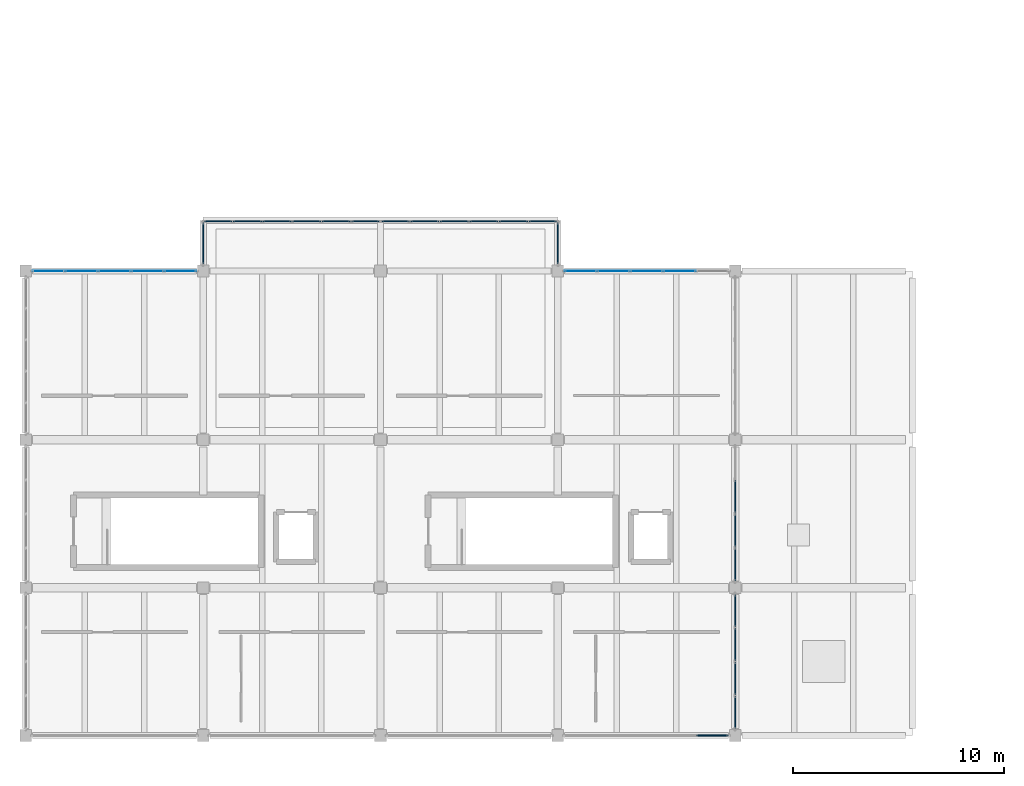
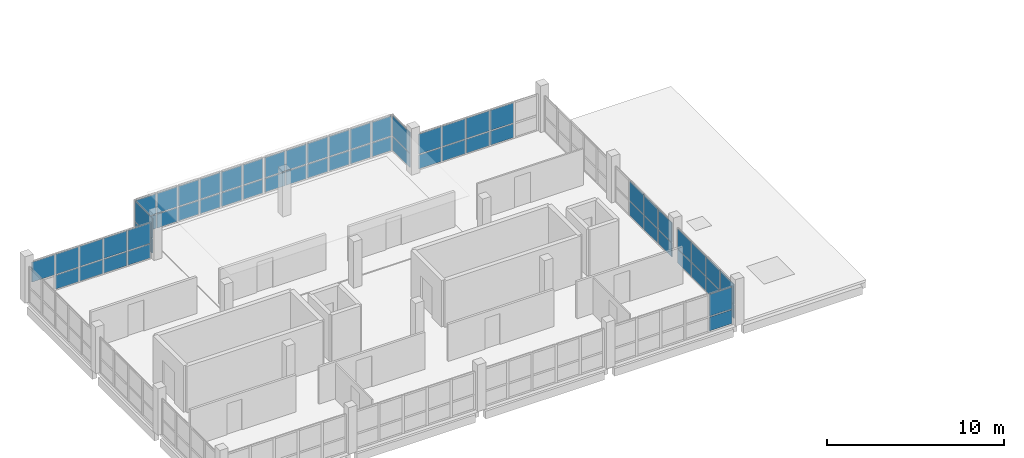
# One storey, part 20 of 24: 61 plates, 9 elements without a shape of their own.
"""IFC4 building model written with IfcOpenShell, lengths in metres."""

from ifc_helpers import new_model, si_unit, direction, frame, origin, origin_2d, place, context, subcontext, project, spatial, rectangle, extrude, material, layer, layer_set, type_object, element, aggregate, save


model = new_model("IFC4")

# Units and contexts
model_context = context("Model", 3, precision=1e-05, world=origin(), true_north=direction((0.0, 1.0)))
body_context = subcontext(model_context, "Body", "Model", "MODEL_VIEW")
ifc_project = project(units=[si_unit("LENGTHUNIT", "METRE"), si_unit("AREAUNIT", "SQUARE_METRE"), si_unit("VOLUMEUNIT", "CUBIC_METRE"), si_unit("PLANEANGLEUNIT", "RADIAN"), si_unit("MASSUNIT", "GRAM", prefix="KILO"), si_unit("THERMODYNAMICTEMPERATUREUNIT", "KELVIN"), si_unit("POWERUNIT", "WATT")], contexts=[model_context])

# Site, building, storey
site_placement = place(None, origin())
site = spatial("IfcSite", under=ifc_project, at=site_placement, CompositionType="ELEMENT")
building_placement = place(site_placement, origin())
building = spatial("IfcBuilding", under=site, at=building_placement, Name="Mavoryth Pier Ferry Terminal", CompositionType="ELEMENT")
storey_placement = place(building_placement, frame((0.0, 0.0, 16.320068359375)))
storey = spatial("IfcBuildingStorey", under=building, at=storey_placement, Name="L04", CompositionType="ELEMENT", Elevation=16.320068359375)

# Curtain wall, plates
ifc_material_1 = material(Name="Anodised Aluminium and Solar-Control Low-E Glass", Category="aluminium")
ifc_layer_1 = layer(ifc_material_1, 0.260009765625, Name="Anodised Aluminium and Solar-Control Low-E Glass", Category="aluminium")
ifc_layer_set_1 = layer_set([ifc_layer_1], Name="Anodised Aluminium and Solar-Control Low-E Glass - CW-VTSBridge-Mod1500")
curtain_wall_type = type_object("IfcCurtainWallType", Name="CW-VTSBridge-Mod1500", PredefinedType="USERDEFINED", material=ifc_layer_set_1)
curtain_wall_1_placement = place(storey_placement, origin())
curtain_wall_1 = element("IfcCurtainWall", 1, at=curtain_wall_1_placement, inside=storey, type_object=curtain_wall_type, Name="Curtain Wall CW-0422-150", ObjectType="UNITISED CURTAIN WALL", PredefinedType="USERDEFINED")
ifc_material_2 = material(Name="Solar-Control Low-E Laminated Double Glazing", Category="glass")
ifc_layer_2 = layer(ifc_material_2, 0.02392578125, Name="Solar-Control Low-E Laminated Double Glazing", Category="glass")
ifc_layer_set_2 = layer_set([ifc_layer_2], Name="Solar-Control Low-E Laminated Double Glazing - Panel-LowE-DGU-24")
plate_type_1 = type_object("IfcPlateType", Name="Panel-LowE-DGU-24", PredefinedType="CURTAIN_PANEL", material=ifc_layer_set_2)
plate_1_placement = place(storey_placement, frame((49.324951171875, 22.0, 0.06005859375), z_axis=(0.0, 0.0, 1.0), x_axis=(-1.0, 0.0, 0.0)))
plate_1 = element("IfcPlate", 2, at=plate_1_placement, type_object=plate_type_1, Name="CW07 panel 1.1", PredefinedType="CURTAIN_PANEL", context=body_context, shape_type="SweptSolid", body=[
    extrude(rectangle(XDim=1.47998046875, YDim=0.02392578125, at=origin_2d()), origin(), (0.0, 0.0, 1.0), 0.9599609375),
])
plate_2_placement = place(storey_placement, frame((49.324951171875, 22.0, 1.080078125), z_axis=(0.0, 0.0, 1.0), x_axis=(-1.0, 0.0, 0.0)))
plate_2 = element("IfcPlate", 3, at=plate_2_placement, type_object=plate_type_1, Name="CW07 panel 1.2", PredefinedType="CURTAIN_PANEL", context=body_context, shape_type="SweptSolid", body=[
    extrude(rectangle(XDim=1.47998046875, YDim=0.02392578125, at=origin_2d()), origin(), (0.0, 0.0, 1.0), 1.385009765625),
])
plate_3_placement = place(storey_placement, frame((47.77001953125, 22.0, 0.06005859375), z_axis=(0.0, 0.0, 1.0), x_axis=(-1.0, 0.0, 0.0)))
plate_3 = element("IfcPlate", 4, at=plate_3_placement, type_object=plate_type_1, Name="CW07 panel 2.1", PredefinedType="CURTAIN_PANEL", context=body_context, shape_type="SweptSolid", body=[
    extrude(rectangle(XDim=1.510009765625, YDim=0.02392578125, at=origin_2d()), origin(), (0.0, 0.0, 1.0), 0.9599609375),
])
plate_4_placement = place(storey_placement, frame((47.77001953125, 22.0, 1.080078125), z_axis=(0.0, 0.0, 1.0), x_axis=(-1.0, 0.0, 0.0)))
plate_4 = element("IfcPlate", 5, at=plate_4_placement, type_object=plate_type_1, Name="CW07 panel 2.2", PredefinedType="CURTAIN_PANEL", context=body_context, shape_type="SweptSolid", body=[
    extrude(rectangle(XDim=1.510009765625, YDim=0.02392578125, at=origin_2d()), origin(), (0.0, 0.0, 1.0), 1.385009765625),
])
plate_5_placement = place(storey_placement, frame((46.199951171875, 22.0, 0.06005859375), z_axis=(0.0, 0.0, 1.0), x_axis=(-1.0, 0.0, 0.0)))
plate_5 = element("IfcPlate", 6, at=plate_5_placement, type_object=plate_type_1, Name="CW07 panel 3.1", PredefinedType="CURTAIN_PANEL", context=body_context, shape_type="SweptSolid", body=[
    extrude(rectangle(XDim=1.510009765625, YDim=0.02392578125, at=origin_2d()), origin(), (0.0, 0.0, 1.0), 0.9599609375),
])
plate_6_placement = place(storey_placement, frame((46.199951171875, 22.0, 1.080078125), z_axis=(0.0, 0.0, 1.0), x_axis=(-1.0, 0.0, 0.0)))
plate_6 = element("IfcPlate", 7, at=plate_6_placement, type_object=plate_type_1, Name="CW07 panel 3.2", PredefinedType="CURTAIN_PANEL", context=body_context, shape_type="SweptSolid", body=[
    extrude(rectangle(XDim=1.510009765625, YDim=0.02392578125, at=origin_2d()), origin(), (0.0, 0.0, 1.0), 1.385009765625),
])
plate_7_placement = place(storey_placement, frame((44.6298828125, 22.0, 0.06005859375), z_axis=(0.0, 0.0, 1.0), x_axis=(-1.0, 0.0, 0.0)))
plate_7 = element("IfcPlate", 8, at=plate_7_placement, type_object=plate_type_1, Name="CW07 panel 4.1", PredefinedType="CURTAIN_PANEL", context=body_context, shape_type="SweptSolid", body=[
    extrude(rectangle(XDim=1.510009765625, YDim=0.02392578125, at=origin_2d()), origin(), (0.0, 0.0, 1.0), 0.9599609375),
])
plate_8_placement = place(storey_placement, frame((44.6298828125, 22.0, 1.080078125), z_axis=(0.0, 0.0, 1.0), x_axis=(-1.0, 0.0, 0.0)))
plate_8 = element("IfcPlate", 9, at=plate_8_placement, type_object=plate_type_1, Name="CW07 panel 4.2", PredefinedType="CURTAIN_PANEL", context=body_context, shape_type="SweptSolid", body=[
    extrude(rectangle(XDim=1.510009765625, YDim=0.02392578125, at=origin_2d()), origin(), (0.0, 0.0, 1.0), 1.385009765625),
])
plate_9_placement = place(storey_placement, frame((43.074951171875, 22.0, 1.080078125), z_axis=(0.0, 0.0, 1.0), x_axis=(-1.0, 0.0, 0.0)))
plate_9 = element("IfcPlate", 10, at=plate_9_placement, type_object=plate_type_1, Name="CW07 panel 5.2", PredefinedType="CURTAIN_PANEL", context=body_context, shape_type="SweptSolid", body=[
    extrude(rectangle(XDim=1.47998046875, YDim=0.02392578125, at=origin_2d()), origin(), (0.0, 0.0, 1.0), 1.385009765625),
])
aggregate(curtain_wall_1, [plate_1, plate_2, plate_3, plate_4, plate_5, plate_6, plate_7, plate_8, plate_9])

curtain_wall_2_placement = place(storey_placement, origin())
curtain_wall_2 = element("IfcCurtainWall", 11, at=curtain_wall_2_placement, inside=storey, type_object=curtain_wall_type, Name="Curtain Wall CW-0422-156", ObjectType="UNITISED CURTAIN WALL", PredefinedType="USERDEFINED")
plate_10_placement = place(storey_placement, frame((72.969970703125, 22.0, 0.06005859375), z_axis=(0.0, 0.0, 1.0), x_axis=(-1.0, 0.0, 0.0)))
plate_10 = element("IfcPlate", 12, at=plate_10_placement, type_object=plate_type_1, Name="CW07 panel 2.1", PredefinedType="CURTAIN_PANEL", context=body_context, shape_type="SweptSolid", body=[
    extrude(rectangle(XDim=1.510009765625, YDim=0.02392578125, at=origin_2d()), origin(), (0.0, 0.0, 1.0), 0.9599609375),
])
plate_11_placement = place(storey_placement, frame((72.969970703125, 22.0, 1.080078125), z_axis=(0.0, 0.0, 1.0), x_axis=(-1.0, 0.0, 0.0)))
plate_11 = element("IfcPlate", 13, at=plate_11_placement, type_object=plate_type_1, Name="CW07 panel 2.2", PredefinedType="CURTAIN_PANEL", context=body_context, shape_type="SweptSolid", body=[
    extrude(rectangle(XDim=1.510009765625, YDim=0.02392578125, at=origin_2d()), origin(), (0.0, 0.0, 1.0), 1.385009765625),
])
plate_12_placement = place(storey_placement, frame((71.39990234375, 22.0, 0.06005859375), z_axis=(0.0, 0.0, 1.0), x_axis=(-1.0, 0.0, 0.0)))
plate_12 = element("IfcPlate", 14, at=plate_12_placement, type_object=plate_type_1, Name="CW07 panel 3.1", PredefinedType="CURTAIN_PANEL", context=body_context, shape_type="SweptSolid", body=[
    extrude(rectangle(XDim=1.510009765625, YDim=0.02392578125, at=origin_2d()), origin(), (0.0, 0.0, 1.0), 0.9599609375),
])
plate_13_placement = place(storey_placement, frame((71.39990234375, 22.0, 1.080078125), z_axis=(0.0, 0.0, 1.0), x_axis=(-1.0, 0.0, 0.0)))
plate_13 = element("IfcPlate", 15, at=plate_13_placement, type_object=plate_type_1, Name="CW07 panel 3.2", PredefinedType="CURTAIN_PANEL", context=body_context, shape_type="SweptSolid", body=[
    extrude(rectangle(XDim=1.510009765625, YDim=0.02392578125, at=origin_2d()), origin(), (0.0, 0.0, 1.0), 1.385009765625),
])
plate_14_placement = place(storey_placement, frame((69.830078125, 22.0, 0.06005859375), z_axis=(0.0, 0.0, 1.0), x_axis=(-1.0, 0.0, 0.0)))
plate_14 = element("IfcPlate", 16, at=plate_14_placement, type_object=plate_type_1, Name="CW07 panel 4.1", PredefinedType="CURTAIN_PANEL", context=body_context, shape_type="SweptSolid", body=[
    extrude(rectangle(XDim=1.510009765625, YDim=0.02392578125, at=origin_2d()), origin(), (0.0, 0.0, 1.0), 0.9599609375),
])
plate_15_placement = place(storey_placement, frame((69.830078125, 22.0, 1.080078125), z_axis=(0.0, 0.0, 1.0), x_axis=(-1.0, 0.0, 0.0)))
plate_15 = element("IfcPlate", 17, at=plate_15_placement, type_object=plate_type_1, Name="CW07 panel 4.2", PredefinedType="CURTAIN_PANEL", context=body_context, shape_type="SweptSolid", body=[
    extrude(rectangle(XDim=1.510009765625, YDim=0.02392578125, at=origin_2d()), origin(), (0.0, 0.0, 1.0), 1.385009765625),
])
plate_16_placement = place(storey_placement, frame((68.27490234375, 22.0, 0.06005859375), z_axis=(0.0, 0.0, 1.0), x_axis=(-1.0, 0.0, 0.0)))
plate_16 = element("IfcPlate", 18, at=plate_16_placement, type_object=plate_type_1, Name="CW07 panel 5.1", PredefinedType="CURTAIN_PANEL", context=body_context, shape_type="SweptSolid", body=[
    extrude(rectangle(XDim=1.47998046875, YDim=0.02392578125, at=origin_2d()), origin(), (0.0, 0.0, 1.0), 0.9599609375),
])
plate_17_placement = place(storey_placement, frame((68.27490234375, 22.0, 1.080078125), z_axis=(0.0, 0.0, 1.0), x_axis=(-1.0, 0.0, 0.0)))
plate_17 = element("IfcPlate", 19, at=plate_17_placement, type_object=plate_type_1, Name="CW07 panel 5.2", PredefinedType="CURTAIN_PANEL", context=body_context, shape_type="SweptSolid", body=[
    extrude(rectangle(XDim=1.47998046875, YDim=0.02392578125, at=origin_2d()), origin(), (0.0, 0.0, 1.0), 1.385009765625),
])
aggregate(curtain_wall_2, [plate_10, plate_11, plate_12, plate_13, plate_14, plate_15, plate_16, plate_17])

curtain_wall_3_placement = place(storey_placement, origin())
curtain_wall_3 = element("IfcCurtainWall", 20, at=curtain_wall_3_placement, inside=storey, type_object=curtain_wall_type, Name="Curtain Wall CW-0444-152", ObjectType="UNITISED CURTAIN WALL", PredefinedType="USERDEFINED")
ifc_material_3 = material(Name="Marine Anti-Reflection Laminated Bridge Glass", Category="glass")
ifc_layer_3 = layer(ifc_material_3, 0.053955078125, Name="Marine Anti-Reflection Laminated Bridge Glass", Category="glass")
ifc_layer_set_3 = layer_set([ifc_layer_3], Name="Marine Anti-Reflection Laminated Bridge Glass - Panel-VTS-AntiGlare-54")
plate_type_2 = type_object("IfcPlateType", Name="Panel-VTS-AntiGlare-54", PredefinedType="CURTAIN_PANEL", material=ifc_layer_set_3)
plate_18_placement = place(storey_placement, frame((58.08251953125, 24.35009765625, 0.06982421875), z_axis=(0.0, 0.0, 1.0), x_axis=(-1.0, 0.0, 0.0)))
plate_18 = element("IfcPlate", 21, at=plate_18_placement, type_object=plate_type_2, Name="CW07 panel 1.1", PredefinedType="CURTAIN_PANEL", context=body_context, shape_type="SweptSolid", body=[
    extrude(rectangle(XDim=1.294921875, YDim=0.053955078125, at=origin_2d()), origin(), (0.0, 0.0, 1.0), 0.945068359375),
])
plate_19_placement = place(storey_placement, frame((58.08251953125, 24.35009765625, 1.0849609375), z_axis=(0.0, 0.0, 1.0), x_axis=(-1.0, 0.0, 0.0)))
plate_19 = element("IfcPlate", 22, at=plate_19_placement, type_object=plate_type_2, Name="CW07 panel 1.2", PredefinedType="CURTAIN_PANEL", context=body_context, shape_type="SweptSolid", body=[
    extrude(rectangle(XDim=1.294921875, YDim=0.053955078125, at=origin_2d()), origin(), (0.0, 0.0, 1.0), 1.3701171875),
])
plate_20_placement = place(storey_placement, frame((56.699951171875, 24.35009765625, 0.06982421875), z_axis=(0.0, 0.0, 1.0), x_axis=(-1.0, 0.0, 0.0)))
plate_20 = element("IfcPlate", 23, at=plate_20_placement, type_object=plate_type_2, Name="CW07 panel 2.1", PredefinedType="CURTAIN_PANEL", context=body_context, shape_type="SweptSolid", body=[
    extrude(rectangle(XDim=1.330078125, YDim=0.053955078125, at=origin_2d()), origin(), (0.0, 0.0, 1.0), 0.945068359375),
])
plate_21_placement = place(storey_placement, frame((56.699951171875, 24.35009765625, 1.0849609375), z_axis=(0.0, 0.0, 1.0), x_axis=(-1.0, 0.0, 0.0)))
plate_21 = element("IfcPlate", 24, at=plate_21_placement, type_object=plate_type_2, Name="CW07 panel 2.2", PredefinedType="CURTAIN_PANEL", context=body_context, shape_type="SweptSolid", body=[
    extrude(rectangle(XDim=1.330078125, YDim=0.053955078125, at=origin_2d()), origin(), (0.0, 0.0, 1.0), 1.3701171875),
])
plate_22_placement = place(storey_placement, frame((55.300048828125, 24.35009765625, 0.06982421875), z_axis=(0.0, 0.0, 1.0), x_axis=(-1.0, 0.0, 0.0)))
plate_22 = element("IfcPlate", 25, at=plate_22_placement, type_object=plate_type_2, Name="CW07 panel 3.1", PredefinedType="CURTAIN_PANEL", context=body_context, shape_type="SweptSolid", body=[
    extrude(rectangle(XDim=1.330078125, YDim=0.053955078125, at=origin_2d()), origin(), (0.0, 0.0, 1.0), 0.945068359375),
])
plate_23_placement = place(storey_placement, frame((55.300048828125, 24.35009765625, 1.0849609375), z_axis=(0.0, 0.0, 1.0), x_axis=(-1.0, 0.0, 0.0)))
plate_23 = element("IfcPlate", 26, at=plate_23_placement, type_object=plate_type_2, Name="CW07 panel 3.2", PredefinedType="CURTAIN_PANEL", context=body_context, shape_type="SweptSolid", body=[
    extrude(rectangle(XDim=1.330078125, YDim=0.053955078125, at=origin_2d()), origin(), (0.0, 0.0, 1.0), 1.3701171875),
])
plate_24_placement = place(storey_placement, frame((53.89990234375, 24.35009765625, 0.06982421875), z_axis=(0.0, 0.0, 1.0), x_axis=(-1.0, 0.0, 0.0)))
plate_24 = element("IfcPlate", 27, at=plate_24_placement, type_object=plate_type_2, Name="CW07 panel 4.1", PredefinedType="CURTAIN_PANEL", context=body_context, shape_type="SweptSolid", body=[
    extrude(rectangle(XDim=1.330078125, YDim=0.053955078125, at=origin_2d()), origin(), (0.0, 0.0, 1.0), 0.945068359375),
])
plate_25_placement = place(storey_placement, frame((53.89990234375, 24.35009765625, 1.0849609375), z_axis=(0.0, 0.0, 1.0), x_axis=(-1.0, 0.0, 0.0)))
plate_25 = element("IfcPlate", 28, at=plate_25_placement, type_object=plate_type_2, Name="CW07 panel 4.2", PredefinedType="CURTAIN_PANEL", context=body_context, shape_type="SweptSolid", body=[
    extrude(rectangle(XDim=1.330078125, YDim=0.053955078125, at=origin_2d()), origin(), (0.0, 0.0, 1.0), 1.3701171875),
])
plate_26_placement = place(storey_placement, frame((52.5, 24.35009765625, 0.06982421875), z_axis=(0.0, 0.0, 1.0), x_axis=(-1.0, 0.0, 0.0)))
plate_26 = element("IfcPlate", 29, at=plate_26_placement, type_object=plate_type_2, Name="CW07 panel 5.1", PredefinedType="CURTAIN_PANEL", context=body_context, shape_type="SweptSolid", body=[
    extrude(rectangle(XDim=1.330078125, YDim=0.053955078125, at=origin_2d()), origin(), (0.0, 0.0, 1.0), 0.945068359375),
])
plate_27_placement = place(storey_placement, frame((52.5, 24.35009765625, 1.0849609375), z_axis=(0.0, 0.0, 1.0), x_axis=(-1.0, 0.0, 0.0)))
plate_27 = element("IfcPlate", 30, at=plate_27_placement, type_object=plate_type_2, Name="CW07 panel 5.2", PredefinedType="CURTAIN_PANEL", context=body_context, shape_type="SweptSolid", body=[
    extrude(rectangle(XDim=1.330078125, YDim=0.053955078125, at=origin_2d()), origin(), (0.0, 0.0, 1.0), 1.3701171875),
])
plate_28_placement = place(storey_placement, frame((51.117431640625, 24.35009765625, 0.06982421875), z_axis=(0.0, 0.0, 1.0), x_axis=(-1.0, 0.0, 0.0)))
plate_28 = element("IfcPlate", 31, at=plate_28_placement, type_object=plate_type_2, Name="CW07 panel 6.1", PredefinedType="CURTAIN_PANEL", context=body_context, shape_type="SweptSolid", body=[
    extrude(rectangle(XDim=1.294921875, YDim=0.053955078125, at=origin_2d()), origin(), (0.0, 0.0, 1.0), 0.945068359375),
])
plate_29_placement = place(storey_placement, frame((51.117431640625, 24.35009765625, 1.0849609375), z_axis=(0.0, 0.0, 1.0), x_axis=(-1.0, 0.0, 0.0)))
plate_29 = element("IfcPlate", 32, at=plate_29_placement, type_object=plate_type_2, Name="CW07 panel 6.2", PredefinedType="CURTAIN_PANEL", context=body_context, shape_type="SweptSolid", body=[
    extrude(rectangle(XDim=1.294921875, YDim=0.053955078125, at=origin_2d()), origin(), (0.0, 0.0, 1.0), 1.3701171875),
])
aggregate(curtain_wall_3, [plate_18, plate_19, plate_20, plate_21, plate_22, plate_23, plate_24, plate_25, plate_26, plate_27, plate_28, plate_29])

curtain_wall_4_placement = place(storey_placement, origin())
curtain_wall_4 = element("IfcCurtainWall", 33, at=curtain_wall_4_placement, inside=storey, type_object=curtain_wall_type, Name="Curtain Wall CW-0444-154", ObjectType="UNITISED CURTAIN WALL", PredefinedType="USERDEFINED")
plate_30_placement = place(storey_placement, frame((66.482421875, 24.35009765625, 0.06982421875), z_axis=(0.0, 0.0, 1.0), x_axis=(-1.0, 0.0, 0.0)))
plate_30 = element("IfcPlate", 34, at=plate_30_placement, type_object=plate_type_2, Name="CW07 panel 1.1", PredefinedType="CURTAIN_PANEL", context=body_context, shape_type="SweptSolid", body=[
    extrude(rectangle(XDim=1.294921875, YDim=0.053955078125, at=origin_2d()), origin(), (0.0, 0.0, 1.0), 0.945068359375),
])
plate_31_placement = place(storey_placement, frame((66.482421875, 24.35009765625, 1.0849609375), z_axis=(0.0, 0.0, 1.0), x_axis=(-1.0, 0.0, 0.0)))
plate_31 = element("IfcPlate", 35, at=plate_31_placement, type_object=plate_type_2, Name="CW07 panel 1.2", PredefinedType="CURTAIN_PANEL", context=body_context, shape_type="SweptSolid", body=[
    extrude(rectangle(XDim=1.294921875, YDim=0.053955078125, at=origin_2d()), origin(), (0.0, 0.0, 1.0), 1.3701171875),
])
plate_32_placement = place(storey_placement, frame((65.10009765625, 24.35009765625, 0.06982421875), z_axis=(0.0, 0.0, 1.0), x_axis=(-1.0, 0.0, 0.0)))
plate_32 = element("IfcPlate", 36, at=plate_32_placement, type_object=plate_type_2, Name="CW07 panel 2.1", PredefinedType="CURTAIN_PANEL", context=body_context, shape_type="SweptSolid", body=[
    extrude(rectangle(XDim=1.330078125, YDim=0.053955078125, at=origin_2d()), origin(), (0.0, 0.0, 1.0), 0.945068359375),
])
plate_33_placement = place(storey_placement, frame((65.10009765625, 24.35009765625, 1.0849609375), z_axis=(0.0, 0.0, 1.0), x_axis=(-1.0, 0.0, 0.0)))
plate_33 = element("IfcPlate", 37, at=plate_33_placement, type_object=plate_type_2, Name="CW07 panel 2.2", PredefinedType="CURTAIN_PANEL", context=body_context, shape_type="SweptSolid", body=[
    extrude(rectangle(XDim=1.330078125, YDim=0.053955078125, at=origin_2d()), origin(), (0.0, 0.0, 1.0), 1.3701171875),
])
plate_34_placement = place(storey_placement, frame((63.699951171875, 24.35009765625, 0.06982421875), z_axis=(0.0, 0.0, 1.0), x_axis=(-1.0, 0.0, 0.0)))
plate_34 = element("IfcPlate", 38, at=plate_34_placement, type_object=plate_type_2, Name="CW07 panel 3.1", PredefinedType="CURTAIN_PANEL", context=body_context, shape_type="SweptSolid", body=[
    extrude(rectangle(XDim=1.330078125, YDim=0.053955078125, at=origin_2d()), origin(), (0.0, 0.0, 1.0), 0.945068359375),
])
plate_35_placement = place(storey_placement, frame((63.699951171875, 24.35009765625, 1.0849609375), z_axis=(0.0, 0.0, 1.0), x_axis=(-1.0, 0.0, 0.0)))
plate_35 = element("IfcPlate", 39, at=plate_35_placement, type_object=plate_type_2, Name="CW07 panel 3.2", PredefinedType="CURTAIN_PANEL", context=body_context, shape_type="SweptSolid", body=[
    extrude(rectangle(XDim=1.330078125, YDim=0.053955078125, at=origin_2d()), origin(), (0.0, 0.0, 1.0), 1.3701171875),
])
plate_36_placement = place(storey_placement, frame((62.300048828125, 24.35009765625, 0.06982421875), z_axis=(0.0, 0.0, 1.0), x_axis=(-1.0, 0.0, 0.0)))
plate_36 = element("IfcPlate", 40, at=plate_36_placement, type_object=plate_type_2, Name="CW07 panel 4.1", PredefinedType="CURTAIN_PANEL", context=body_context, shape_type="SweptSolid", body=[
    extrude(rectangle(XDim=1.330078125, YDim=0.053955078125, at=origin_2d()), origin(), (0.0, 0.0, 1.0), 0.945068359375),
])
plate_37_placement = place(storey_placement, frame((62.300048828125, 24.35009765625, 1.0849609375), z_axis=(0.0, 0.0, 1.0), x_axis=(-1.0, 0.0, 0.0)))
plate_37 = element("IfcPlate", 41, at=plate_37_placement, type_object=plate_type_2, Name="CW07 panel 4.2", PredefinedType="CURTAIN_PANEL", context=body_context, shape_type="SweptSolid", body=[
    extrude(rectangle(XDim=1.330078125, YDim=0.053955078125, at=origin_2d()), origin(), (0.0, 0.0, 1.0), 1.3701171875),
])
plate_38_placement = place(storey_placement, frame((60.89990234375, 24.35009765625, 0.06982421875), z_axis=(0.0, 0.0, 1.0), x_axis=(-1.0, 0.0, 0.0)))
plate_38 = element("IfcPlate", 42, at=plate_38_placement, type_object=plate_type_2, Name="CW07 panel 5.1", PredefinedType="CURTAIN_PANEL", context=body_context, shape_type="SweptSolid", body=[
    extrude(rectangle(XDim=1.330078125, YDim=0.053955078125, at=origin_2d()), origin(), (0.0, 0.0, 1.0), 0.945068359375),
])
plate_39_placement = place(storey_placement, frame((60.89990234375, 24.35009765625, 1.0849609375), z_axis=(0.0, 0.0, 1.0), x_axis=(-1.0, 0.0, 0.0)))
plate_39 = element("IfcPlate", 43, at=plate_39_placement, type_object=plate_type_2, Name="CW07 panel 5.2", PredefinedType="CURTAIN_PANEL", context=body_context, shape_type="SweptSolid", body=[
    extrude(rectangle(XDim=1.330078125, YDim=0.053955078125, at=origin_2d()), origin(), (0.0, 0.0, 1.0), 1.3701171875),
])
plate_40_placement = place(storey_placement, frame((59.517578125, 24.35009765625, 0.06982421875), z_axis=(0.0, 0.0, 1.0), x_axis=(-1.0, 0.0, 0.0)))
plate_40 = element("IfcPlate", 44, at=plate_40_placement, type_object=plate_type_2, Name="CW07 panel 6.1", PredefinedType="CURTAIN_PANEL", context=body_context, shape_type="SweptSolid", body=[
    extrude(rectangle(XDim=1.294921875, YDim=0.053955078125, at=origin_2d()), origin(), (0.0, 0.0, 1.0), 0.945068359375),
])
plate_41_placement = place(storey_placement, frame((59.517578125, 24.35009765625, 1.0849609375), z_axis=(0.0, 0.0, 1.0), x_axis=(-1.0, 0.0, 0.0)))
plate_41 = element("IfcPlate", 45, at=plate_41_placement, type_object=plate_type_2, Name="CW07 panel 6.2", PredefinedType="CURTAIN_PANEL", context=body_context, shape_type="SweptSolid", body=[
    extrude(rectangle(XDim=1.294921875, YDim=0.053955078125, at=origin_2d()), origin(), (0.0, 0.0, 1.0), 1.3701171875),
])
aggregate(curtain_wall_4, [plate_30, plate_31, plate_32, plate_33, plate_34, plate_35, plate_36, plate_37, plate_38, plate_39, plate_40, plate_41])

curtain_wall_5_placement = place(storey_placement, origin())
curtain_wall_5 = element("IfcCurtainWall", 46, at=curtain_wall_5_placement, inside=storey, type_object=curtain_wall_type, Name="Curtain Wall CW-0422-155", ObjectType="UNITISED CURTAIN WALL", PredefinedType="USERDEFINED")
plate_42_placement = place(storey_placement, frame((74.52490234375, 0.0, 0.06005859375), z_axis=(0.0, 0.0, 1.0), x_axis=(1.0, 0.0, 0.0)))
plate_42 = element("IfcPlate", 47, at=plate_42_placement, type_object=plate_type_2, Name="CW07 panel 5.1", PredefinedType="CURTAIN_PANEL", context=body_context, shape_type="SweptSolid", body=[
    extrude(rectangle(XDim=1.47998046875, YDim=0.053955078125, at=origin_2d()), origin(), (0.0, 0.0, 1.0), 0.9599609375),
])
plate_43_placement = place(storey_placement, frame((74.52490234375, 0.0, 1.079833984375), z_axis=(0.0, 0.0, 1.0), x_axis=(1.0, 0.0, 0.0)))
plate_43 = element("IfcPlate", 48, at=plate_43_placement, type_object=plate_type_2, Name="CW07 panel 5.2", PredefinedType="CURTAIN_PANEL", context=body_context, shape_type="SweptSolid", body=[
    extrude(rectangle(XDim=1.47998046875, YDim=0.053955078125, at=origin_2d()), origin(), (0.0, 0.0, 1.0), 1.4951171875),
])
aggregate(curtain_wall_5, [plate_42, plate_43])

curtain_wall_6_placement = place(storey_placement, origin())
curtain_wall_6 = element("IfcCurtainWall", 49, at=curtain_wall_6_placement, inside=storey, type_object=curtain_wall_type, Name="Curtain Wall CW-0433-157", ObjectType="UNITISED CURTAIN WALL", PredefinedType="USERDEFINED")
plate_44_placement = place(storey_placement, frame((50.39990234375, 23.3125, 0.06494140625), z_axis=(0.0, 0.0, 1.0), x_axis=(0.0, -1.0, 0.0)))
plate_44 = element("IfcPlate", 50, at=plate_44_placement, type_object=plate_type_2, Name="CW07 panel 1.1", PredefinedType="CURTAIN_PANEL", context=body_context, shape_type="SweptSolid", body=[
    extrude(rectangle(XDim=1.945068359375, YDim=0.053955078125, at=origin_2d()), origin(), (0.0, 0.0, 1.0), 0.952392578125),
])
plate_45_placement = place(storey_placement, frame((50.39990234375, 23.3125, 1.08251953125), z_axis=(0.0, 0.0, 1.0), x_axis=(0.0, -1.0, 0.0)))
plate_45 = element("IfcPlate", 51, at=plate_45_placement, type_object=plate_type_2, Name="CW07 panel 1.2", PredefinedType="CURTAIN_PANEL", context=body_context, shape_type="SweptSolid", body=[
    extrude(rectangle(XDim=1.945068359375, YDim=0.053955078125, at=origin_2d()), origin(), (0.0, 0.0, 1.0), 1.37744140625),
])
aggregate(curtain_wall_6, [plate_44, plate_45])

curtain_wall_7_placement = place(storey_placement, origin())
curtain_wall_7 = element("IfcCurtainWall", 52, at=curtain_wall_7_placement, inside=storey, type_object=curtain_wall_type, Name="Curtain Wall CW-0433-158", ObjectType="UNITISED CURTAIN WALL", PredefinedType="USERDEFINED")
plate_46_placement = place(storey_placement, frame((67.199951171875, 23.3125, 0.06494140625), z_axis=(0.0, 0.0, 1.0), x_axis=(0.0, 1.0, 0.0)))
plate_46 = element("IfcPlate", 53, at=plate_46_placement, type_object=plate_type_2, Name="CW07 panel 1.1", PredefinedType="CURTAIN_PANEL", context=body_context, shape_type="SweptSolid", body=[
    extrude(rectangle(XDim=1.945068359375, YDim=0.053955078125, at=origin_2d()), origin(), (0.0, 0.0, 1.0), 0.952392578125),
])
plate_47_placement = place(storey_placement, frame((67.199951171875, 23.3125, 1.08251953125), z_axis=(0.0, 0.0, 1.0), x_axis=(0.0, 1.0, 0.0)))
plate_47 = element("IfcPlate", 54, at=plate_47_placement, type_object=plate_type_2, Name="CW07 panel 1.2", PredefinedType="CURTAIN_PANEL", context=body_context, shape_type="SweptSolid", body=[
    extrude(rectangle(XDim=1.945068359375, YDim=0.053955078125, at=origin_2d()), origin(), (0.0, 0.0, 1.0), 1.37744140625),
])
aggregate(curtain_wall_7, [plate_46, plate_47])

curtain_wall_8_placement = place(storey_placement, origin())
curtain_wall_8 = element("IfcCurtainWall", 55, at=curtain_wall_8_placement, inside=storey, type_object=curtain_wall_type, Name="Curtain Wall CW-0433-159", ObjectType="UNITISED CURTAIN WALL", PredefinedType="USERDEFINED")
plate_48_placement = place(storey_placement, frame((75.60009765625, 1.097412109375, 0.06494140625), z_axis=(0.0, 0.0, 1.0), x_axis=(0.0, 1.0, 0.0)))
plate_48 = element("IfcPlate", 56, at=plate_48_placement, type_object=plate_type_2, Name="CW07 panel 1.1", PredefinedType="CURTAIN_PANEL", context=body_context, shape_type="SweptSolid", body=[
    extrude(rectangle(XDim=1.514892578125, YDim=0.053955078125, at=origin_2d()), origin(), (0.0, 0.0, 1.0), 0.952392578125),
])
plate_49_placement = place(storey_placement, frame((75.60009765625, 1.097412109375, 1.08251953125), z_axis=(0.0, 0.0, 1.0), x_axis=(0.0, 1.0, 0.0)))
plate_49 = element("IfcPlate", 57, at=plate_49_placement, type_object=plate_type_2, Name="CW07 panel 1.2", PredefinedType="CURTAIN_PANEL", context=body_context, shape_type="SweptSolid", body=[
    extrude(rectangle(XDim=1.514892578125, YDim=0.053955078125, at=origin_2d()), origin(), (0.0, 0.0, 1.0), 1.327392578125),
])
plate_50_placement = place(storey_placement, frame((75.60009765625, 2.69384765625, 0.06494140625), z_axis=(0.0, 0.0, 1.0), x_axis=(0.0, 1.0, 0.0)))
plate_50 = element("IfcPlate", 58, at=plate_50_placement, type_object=plate_type_2, Name="CW07 panel 2.1", PredefinedType="CURTAIN_PANEL", context=body_context, shape_type="SweptSolid", body=[
    extrude(rectangle(XDim=1.547607421875, YDim=0.053955078125, at=origin_2d()), origin(), (0.0, 0.0, 1.0), 0.952392578125),
])
plate_51_placement = place(storey_placement, frame((75.60009765625, 2.69384765625, 1.08251953125), z_axis=(0.0, 0.0, 1.0), x_axis=(0.0, 1.0, 0.0)))
plate_51 = element("IfcPlate", 59, at=plate_51_placement, type_object=plate_type_2, Name="CW07 panel 2.2", PredefinedType="CURTAIN_PANEL", context=body_context, shape_type="SweptSolid", body=[
    extrude(rectangle(XDim=1.547607421875, YDim=0.053955078125, at=origin_2d()), origin(), (0.0, 0.0, 1.0), 1.327392578125),
])
plate_52_placement = place(storey_placement, frame((75.60009765625, 4.30615234375, 0.06494140625), z_axis=(0.0, 0.0, 1.0), x_axis=(0.0, 1.0, 0.0)))
plate_52 = element("IfcPlate", 60, at=plate_52_placement, type_object=plate_type_2, Name="CW07 panel 3.1", PredefinedType="CURTAIN_PANEL", context=body_context, shape_type="SweptSolid", body=[
    extrude(rectangle(XDim=1.547607421875, YDim=0.053955078125, at=origin_2d()), origin(), (0.0, 0.0, 1.0), 0.952392578125),
])
plate_53_placement = place(storey_placement, frame((75.60009765625, 4.30615234375, 1.08251953125), z_axis=(0.0, 0.0, 1.0), x_axis=(0.0, 1.0, 0.0)))
plate_53 = element("IfcPlate", 61, at=plate_53_placement, type_object=plate_type_2, Name="CW07 panel 3.2", PredefinedType="CURTAIN_PANEL", context=body_context, shape_type="SweptSolid", body=[
    extrude(rectangle(XDim=1.547607421875, YDim=0.053955078125, at=origin_2d()), origin(), (0.0, 0.0, 1.0), 1.327392578125),
])
plate_54_placement = place(storey_placement, frame((75.60009765625, 5.902587890625, 0.06494140625), z_axis=(0.0, 0.0, 1.0), x_axis=(0.0, 1.0, 0.0)))
plate_54 = element("IfcPlate", 62, at=plate_54_placement, type_object=plate_type_2, Name="CW07 panel 4.1", PredefinedType="CURTAIN_PANEL", context=body_context, shape_type="SweptSolid", body=[
    extrude(rectangle(XDim=1.514892578125, YDim=0.053955078125, at=origin_2d()), origin(), (0.0, 0.0, 1.0), 0.952392578125),
])
plate_55_placement = place(storey_placement, frame((75.60009765625, 5.902587890625, 1.08251953125), z_axis=(0.0, 0.0, 1.0), x_axis=(0.0, 1.0, 0.0)))
plate_55 = element("IfcPlate", 63, at=plate_55_placement, type_object=plate_type_2, Name="CW07 panel 4.2", PredefinedType="CURTAIN_PANEL", context=body_context, shape_type="SweptSolid", body=[
    extrude(rectangle(XDim=1.514892578125, YDim=0.053955078125, at=origin_2d()), origin(), (0.0, 0.0, 1.0), 1.327392578125),
])
aggregate(curtain_wall_8, [plate_48, plate_49, plate_50, plate_51, plate_52, plate_53, plate_54, plate_55])

curtain_wall_9_placement = place(storey_placement, origin())
curtain_wall_9 = element("IfcCurtainWall", 64, at=curtain_wall_9_placement, inside=storey, type_object=curtain_wall_type, Name="Curtain Wall CW-0433-160", ObjectType="UNITISED CURTAIN WALL", PredefinedType="USERDEFINED")
plate_56_placement = place(storey_placement, frame((75.60009765625, 8.097412109375, 0.06494140625), z_axis=(0.0, 0.0, 1.0), x_axis=(0.0, 1.0, 0.0)))
plate_56 = element("IfcPlate", 65, at=plate_56_placement, type_object=plate_type_2, Name="CW07 panel 1.1", PredefinedType="CURTAIN_PANEL", context=body_context, shape_type="SweptSolid", body=[
    extrude(rectangle(XDim=1.514892578125, YDim=0.053955078125, at=origin_2d()), origin(), (0.0, 0.0, 1.0), 0.952392578125),
])
plate_57_placement = place(storey_placement, frame((75.60009765625, 8.097412109375, 1.08251953125), z_axis=(0.0, 0.0, 1.0), x_axis=(0.0, 1.0, 0.0)))
plate_57 = element("IfcPlate", 66, at=plate_57_placement, type_object=plate_type_2, Name="CW07 panel 1.2", PredefinedType="CURTAIN_PANEL", context=body_context, shape_type="SweptSolid", body=[
    extrude(rectangle(XDim=1.514892578125, YDim=0.053955078125, at=origin_2d()), origin(), (0.0, 0.0, 1.0), 1.327392578125),
])
plate_58_placement = place(storey_placement, frame((75.60009765625, 9.69384765625, 0.06494140625), z_axis=(0.0, 0.0, 1.0), x_axis=(0.0, 1.0, 0.0)))
plate_58 = element("IfcPlate", 67, at=plate_58_placement, type_object=plate_type_2, Name="CW07 panel 2.1", PredefinedType="CURTAIN_PANEL", context=body_context, shape_type="SweptSolid", body=[
    extrude(rectangle(XDim=1.547607421875, YDim=0.053955078125, at=origin_2d()), origin(), (0.0, 0.0, 1.0), 0.952392578125),
])
plate_59_placement = place(storey_placement, frame((75.60009765625, 9.69384765625, 1.08251953125), z_axis=(0.0, 0.0, 1.0), x_axis=(0.0, 1.0, 0.0)))
plate_59 = element("IfcPlate", 68, at=plate_59_placement, type_object=plate_type_2, Name="CW07 panel 2.2", PredefinedType="CURTAIN_PANEL", context=body_context, shape_type="SweptSolid", body=[
    extrude(rectangle(XDim=1.547607421875, YDim=0.053955078125, at=origin_2d()), origin(), (0.0, 0.0, 1.0), 1.327392578125),
])
plate_60_placement = place(storey_placement, frame((75.60009765625, 11.30615234375, 0.06494140625), z_axis=(0.0, 0.0, 1.0), x_axis=(0.0, 1.0, 0.0)))
plate_60 = element("IfcPlate", 69, at=plate_60_placement, type_object=plate_type_2, Name="CW07 panel 3.1", PredefinedType="CURTAIN_PANEL", context=body_context, shape_type="SweptSolid", body=[
    extrude(rectangle(XDim=1.547607421875, YDim=0.053955078125, at=origin_2d()), origin(), (0.0, 0.0, 1.0), 0.952392578125),
])
plate_61_placement = place(storey_placement, frame((75.60009765625, 11.30615234375, 1.08251953125), z_axis=(0.0, 0.0, 1.0), x_axis=(0.0, 1.0, 0.0)))
plate_61 = element("IfcPlate", 70, at=plate_61_placement, type_object=plate_type_2, Name="CW07 panel 3.2", PredefinedType="CURTAIN_PANEL", context=body_context, shape_type="SweptSolid", body=[
    extrude(rectangle(XDim=1.547607421875, YDim=0.053955078125, at=origin_2d()), origin(), (0.0, 0.0, 1.0), 1.327392578125),
])
aggregate(curtain_wall_9, [plate_56, plate_57, plate_58, plate_59, plate_60, plate_61])

save(model, "model.ifc")
